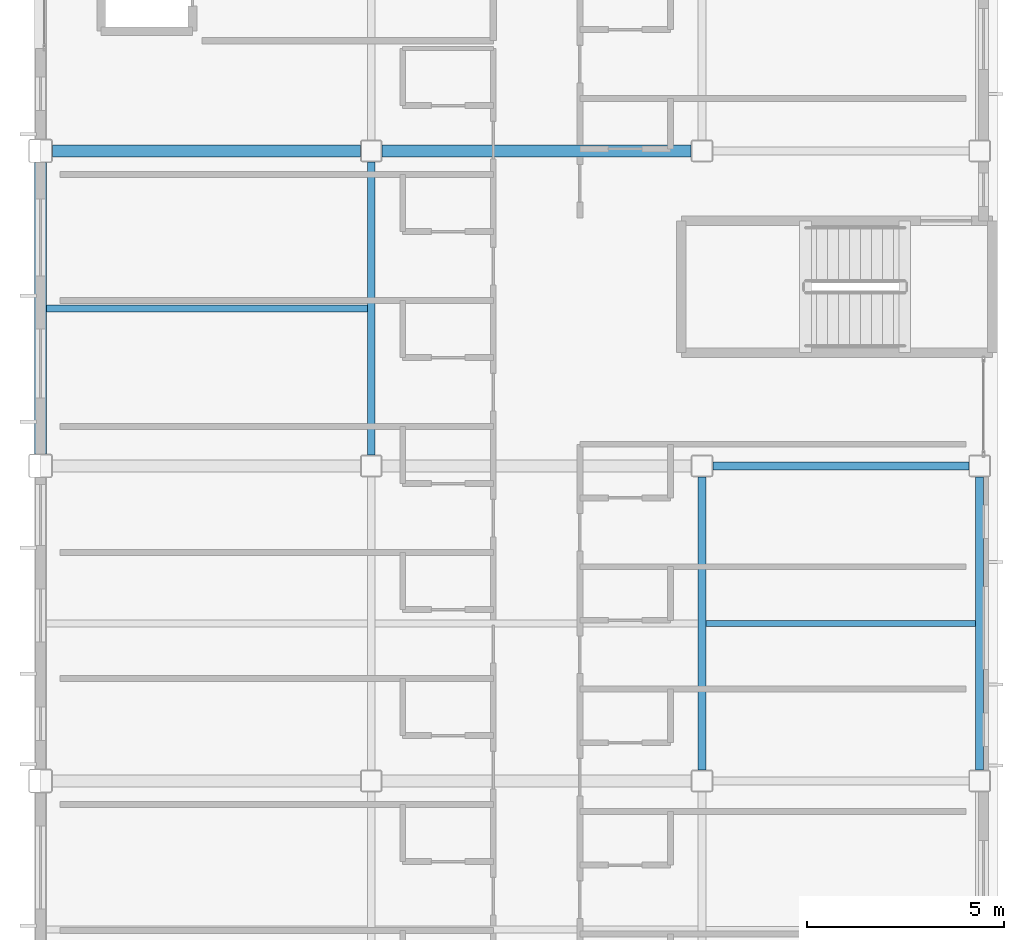
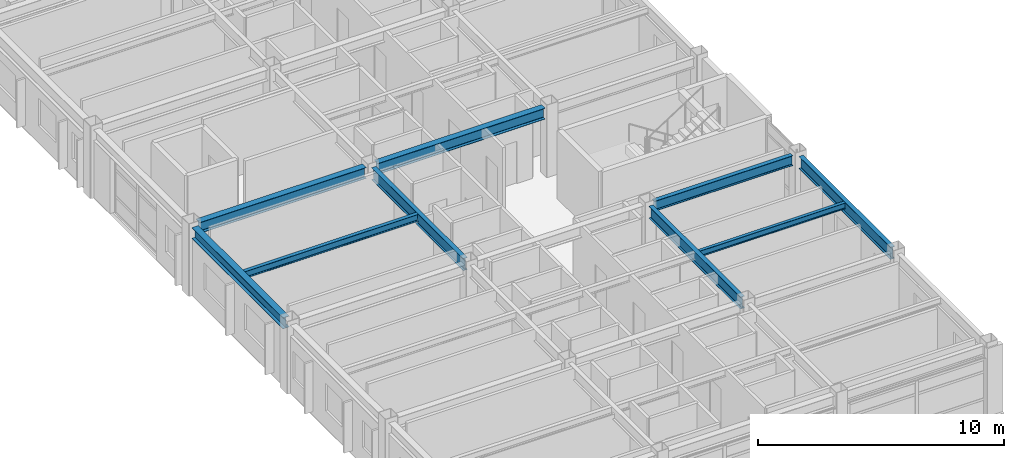
# One storey, part 7 of 38: 9 beams.
"""IFC4 building model written with IfcOpenShell, lengths in metres."""

import ifcopenshell
import ifcopenshell.guid

model = None  # the IFC model being written
_history = None  # IfcOwnerHistory: only IFC2X3 demands one
_inside = {}  # id of a spatial element -> (the spatial element, [elements in it])
_under = {}  # id of a project, library or spatial element -> (it, [spatial elements below it])
_declared = {}  # id of a project -> (the project, [libraries it declares])
_typed = {}  # id of a type object -> (the type object, [elements of that type])
_made_of = {}  # id of a material, layer set ... -> (it, [elements and type objects made of it])


def new_model(schema):
    """Start an empty IFC model of exactly this schema.

    Asked for "IFC4X3", IfcOpenShell would pick the latest addendum, in which some entities
    have other attributes; the version numbers below select the first issue.
    IFC2X3 requires an IfcOwnerHistory on every rooted entity: one is made here for all.
    """
    global model, _history
    if schema == "IFC4X3":
        model = ifcopenshell.file(schema_version=(4, 3, 0, 0))
    else:
        model = ifcopenshell.file(schema=schema)
    _inside.clear()
    _under.clear()
    _declared.clear()
    _typed.clear()
    _made_of.clear()
    _history = None
    if model.schema == "IFC2X3":
        org = make("IfcOrganization", Name="unknown")
        user = make(
            "IfcPersonAndOrganization",
            ThePerson=make("IfcPerson", FamilyName="unknown"),
            TheOrganization=org,
        )
        app = make(
            "IfcApplication",
            ApplicationDeveloper=org,
            Version="unknown",
            ApplicationFullName="unknown",
            ApplicationIdentifier="unknown",
        )
        _history = make(
            "IfcOwnerHistory",
            OwningUser=user,
            OwningApplication=app,
            ChangeAction="ADDED",
            CreationDate=0,
        )
    return model


def make(cls, **values):
    """One entity of the class cls with the attributes given. An attribute that is None is left unset."""
    return model.create_entity(
        cls, **{name: value for name, value in values.items() if value is not None}
    )


def rooted(cls, **values):
    """An entity with a GlobalId (a new one), such as an element, a storey or a relation."""
    return make(cls, GlobalId=ifcopenshell.guid.new(), OwnerHistory=_history, **values)


def si_unit(unit_type, name, prefix=None):
    """IfcSIUnit, for example si_unit("LENGTHUNIT", "METRE", prefix="MILLI")."""
    return make("IfcSIUnit", UnitType=unit_type, Prefix=prefix, Name=name)


def assignment(units):
    """IfcUnitAssignment: the units of a project."""
    return None if units is None else make("IfcUnitAssignment", Units=units)


def point(xyz):
    """IfcCartesianPoint."""
    return None if xyz is None else make("IfcCartesianPoint", Coordinates=xyz)


def direction(xyz):
    """IfcDirection."""
    return None if xyz is None else make("IfcDirection", DirectionRatios=xyz)


def frame(location, z_axis=None, x_axis=None):
    """IfcAxis2Placement3D, a coordinate frame: its origin and axes. An axis left out is left unset."""
    return make(
        "IfcAxis2Placement3D",
        Location=point(location),
        Axis=direction(z_axis),
        RefDirection=direction(x_axis),
    )


def frame_2d(location, x_axis=None):
    """IfcAxis2Placement2D, a coordinate frame in the plane: its origin and x axis."""
    return make(
        "IfcAxis2Placement2D", Location=point(location), RefDirection=direction(x_axis)
    )


def origin():
    """The frame at (0, 0, 0) with its axes left unset."""
    return frame((0.0, 0.0, 0.0))


def origin_2d():
    """The frame at (0, 0) in the plane with its x axis left unset."""
    return frame_2d((0.0, 0.0))


def place(relative_to, where):
    """IfcLocalPlacement: puts the frame where relative to a parent placement (None: the world)."""
    return make(
        "IfcLocalPlacement", PlacementRelTo=relative_to, RelativePlacement=where
    )


def context(
    kind, dimensions, precision=None, world=None, true_north=None, identifier=None
):
    """IfcGeometricRepresentationContext, for example the 3D "Model" context."""
    return make(
        "IfcGeometricRepresentationContext",
        ContextIdentifier=identifier,
        ContextType=kind,
        CoordinateSpaceDimension=dimensions,
        Precision=precision,
        WorldCoordinateSystem=world,
        TrueNorth=true_north,
    )


def subcontext(parent, identifier, kind, view, scale=None):
    """IfcGeometricRepresentationSubContext, for example "Body" below "Model"."""
    return make(
        "IfcGeometricRepresentationSubContext",
        ContextIdentifier=identifier,
        ContextType=kind,
        ParentContext=parent,
        TargetScale=scale,
        TargetView=view,
    )


def project(units=None, contexts=None):
    """IfcProject with its units and contexts."""
    return rooted(
        "IfcProject",
        Name="project",
        RepresentationContexts=contexts,
        UnitsInContext=assignment(units),
    )


def spatial(cls, under=None, at=None, **own):
    """A site, building, storey or space (cls), placed at a placement, below another one or the project."""
    s = rooted(cls, ObjectPlacement=at, **own)
    if under is not None:
        _under.setdefault(under.id(), (under, []))[1].append(s)
    return s


def profile(cls, at=None, kind="AREA", **sizes):
    """A parametric profile (cls). Its sizes go by their IFC names, for example OverallWidth=200.0."""
    return make(cls, ProfileType=kind, Position=at, **sizes)


def i_section(**sizes):
    """IfcIShapeProfileDef."""
    return profile("IfcIShapeProfileDef", **sizes)


def extrude(swept, where, along, depth):
    """IfcExtrudedAreaSolid: the profile swept, set in the frame where, extruded along a direction by depth."""
    return make(
        "IfcExtrudedAreaSolid",
        SweptArea=swept,
        Position=where,
        ExtrudedDirection=direction(along),
        Depth=depth,
    )


def shape(context_of_items, identifier, shape_type, items):
    """IfcShapeRepresentation: the items that make up one representation, for example the "Body"."""
    return make(
        "IfcShapeRepresentation",
        ContextOfItems=context_of_items,
        RepresentationIdentifier=identifier,
        RepresentationType=shape_type,
        Items=items,
    )


def material(Name=None, Category=None):
    """IfcMaterial."""
    return make("IfcMaterial", Name=Name, Category=Category)


def material_profile(
    of_material, cross_section, Name=None, Category=None, Priority=None
):
    """IfcMaterialProfile: a cross section and its material."""
    return make(
        "IfcMaterialProfile",
        Name=Name,
        Material=of_material,
        Profile=cross_section,
        Priority=Priority,
        Category=Category,
    )


def profile_set(profiles, Name=None, composite=None):
    """IfcMaterialProfileSet."""
    return make(
        "IfcMaterialProfileSet",
        Name=Name,
        MaterialProfiles=profiles,
        CompositeProfile=composite,
    )


def made_of(thing, what):
    """Note that an element or type object is made of a material, layer set ...; save() writes the relation."""
    if what is not None:
        _made_of.setdefault(what.id(), (what, []))[1].append(thing)
    return thing


def type_object(cls, material=None, **own):
    """A type object (cls), such as IfcWallType, which elements share."""
    return made_of(rooted(cls, **own), material)


def element(
    cls,
    number,
    at=None,
    inside=None,
    cuts=None,
    type_object=None,
    material=None,
    context=None,
    identifier="Body",
    shape_type=None,
    held_by="IfcProductDefinitionShape",
    body=None,
    shapes=None,
    **own,
):
    """One element of the class cls, such as IfcWall. Its Tag is "e" and its number.

    at: its placement. inside: the storey or other place that contains it. cuts: it is an
    opening in that element (IfcRelVoidsElement). A single representation is given by context,
    identifier, shape_type and body (its items); several are given by shapes. held_by: the class
    of the entity that holds the representations. save() writes the other relations.
    """
    e = rooted(cls, Tag="e%d" % number, ObjectPlacement=at, **own)
    if body is not None:
        shapes = [shape(context, identifier, shape_type, body)]
    if shapes is not None:
        e.Representation = make(held_by, Representations=shapes)
    if inside is not None:
        _inside.setdefault(inside.id(), (inside, []))[1].append(e)
    if cuts is not None:
        rooted(
            "IfcRelVoidsElement", RelatingBuildingElement=cuts, RelatedOpeningElement=e
        )
    if type_object is not None:
        _typed.setdefault(type_object.id(), (type_object, []))[1].append(e)
    return made_of(e, material)


def aggregate(whole, parts):
    """IfcRelAggregates: a whole, such as a stair, and the parts it consists of."""
    return rooted("IfcRelAggregates", RelatingObject=whole, RelatedObjects=parts)


def save(model, path):
    """Write the relations noted so far, then the file.

    IfcRelAggregates (storeys below a building ...), IfcRelContainedInSpatialStructure (elements
    in a storey), IfcRelDefinesByType, IfcRelAssociatesMaterial and IfcRelDeclares: one each for
    every whole, place, type object, material and project.
    """
    for whole, parts in _under.values():
        aggregate(whole, parts)
    for where, things in _inside.values():
        rooted(
            "IfcRelContainedInSpatialStructure",
            RelatedElements=things,
            RelatingStructure=where,
        )
    for kind, things in _typed.values():
        rooted("IfcRelDefinesByType", RelatedObjects=things, RelatingType=kind)
    for what, things in _made_of.values():
        rooted("IfcRelAssociatesMaterial", RelatedObjects=things, RelatingMaterial=what)
    for by, libraries in _declared.values():
        rooted("IfcRelDeclares", RelatingContext=by, RelatedDefinitions=libraries)
    model.write(path)


model = new_model("IFC4")

# Units and contexts
model_context = context("Model", 3, precision=1e-05, world=origin(), true_north=direction((0.0, 1.0)))
body_context = subcontext(model_context, "Body", "Model", "MODEL_VIEW")
ifc_project = project(units=[si_unit("LENGTHUNIT", "METRE"), si_unit("AREAUNIT", "SQUARE_METRE"), si_unit("VOLUMEUNIT", "CUBIC_METRE"), si_unit("PLANEANGLEUNIT", "RADIAN"), si_unit("MASSUNIT", "GRAM", prefix="KILO")], contexts=[model_context])

# Site, building, storey
site_placement = place(None, origin())
site = spatial("IfcSite", under=ifc_project, at=site_placement, CompositionType="ELEMENT")
building_placement = place(site_placement, origin())
building = spatial("IfcBuilding", under=site, at=building_placement, Name="Kazehara Bluff Congress Hotel", CompositionType="ELEMENT")
storey_placement = place(building_placement, frame((0.0, 0.0, 24.60009765625)))
storey = spatial("IfcBuildingStorey", under=building, at=storey_placement, Name="L05", CompositionType="ELEMENT", Elevation=24.60009765625)

# Beams
ifc_material_1 = material(Name="Steel SN490B", Category="steel")
ifc_material_profile_1 = material_profile(ifc_material_1, i_section(OverallWidth=0.199951171875, OverallDepth=0.5, WebThickness=0.010009765625, FlangeThickness=0.01611328125, FilletRadius=0.012939453125, at=origin_2d()))
ifc_profile_set_1 = profile_set([ifc_material_profile_1], Name="Steel SN490B")
beam_type_1 = type_object("IfcBeamType", Name="TP-G-01", PredefinedType="BEAM", material=ifc_profile_set_1)
beam_1_placement = place(storey_placement, frame((160.77490234375, 16.0, 3.1298828125), z_axis=(1.0, 0.0, 0.0), x_axis=(0.0, 1.0, 0.0)))
element("IfcBeam", 1, at=beam_1_placement, inside=storey, type_object=beam_type_1, Name="L05 girder G-01 52", PredefinedType="BEAM", context=body_context, shape_type="SweptSolid", body=[
    extrude(i_section(OverallWidth=0.199951171875, OverallDepth=0.5, WebThickness=0.010009765625, FlangeThickness=0.01611328125, FilletRadius=0.012939453125, at=origin_2d()), origin(), (0.0, 0.0, 1.0), 6.5),
])
ifc_material_2 = material(Name="Steel SN490B", Category="steel")
ifc_material_profile_2 = material_profile(ifc_material_2, i_section(OverallWidth=0.199951171875, OverallDepth=0.60009765625, WebThickness=0.010986328125, FlangeThickness=0.01708984375, FilletRadius=0.012939453125, at=origin_2d()))
ifc_profile_set_2 = profile_set([ifc_material_profile_2], Name="Steel SN490B")
beam_type_2 = type_object("IfcBeamType", Name="TP-G-02", PredefinedType="BEAM", material=ifc_profile_set_2)
for number, where, z_axis, x_axis, name in (
    (2, (152.10009765625, 16.27490234375, 3.079833984375), (0.0, 1.0, 0.0), (-1.0, 0.0, 0.0), "L05 girder G-02 15"),
    (3, (160.5, 8.27490234375, 3.079833984375), (0.0, 1.0, 0.0), (-1.0, 0.0, 0.0), "L05 girder G-02 25"),
    (4, (167.550048828125, 8.27490234375, 3.079833984375), (0.0, 1.0, 0.0), (-1.0, 0.0, 0.0), "L05 girder G-02 35"),
):
    element("IfcBeam", number, at=place(storey_placement, frame(where, z_axis=z_axis, x_axis=x_axis)), inside=storey, type_object=beam_type_2, Name=name, PredefinedType="BEAM", context=body_context, shape_type="SweptSolid", body=[
        extrude(i_section(OverallWidth=0.199951171875, OverallDepth=0.60009765625, WebThickness=0.010986328125, FlangeThickness=0.01708984375, FilletRadius=0.012939453125, at=origin_2d()), origin(), (0.0, 0.0, 1.0), 7.4501953125),
    ])
ifc_material_3 = material(Name="Steel SN490B", Category="steel")
ifc_material_profile_3 = material_profile(ifc_material_3, i_section(OverallWidth=0.300048828125, OverallDepth=0.550048828125, WebThickness=0.010986328125, FlangeThickness=0.01806640625, FilletRadius=0.012939453125, at=origin_2d()))
ifc_profile_set_3 = profile_set([ifc_material_profile_3], Name="Steel SN490B")
beam_type_3 = type_object("IfcBeamType", Name="TP-G-12", PredefinedType="BEAM", material=ifc_profile_set_3)
beam_2_placement = place(storey_placement, frame((144.0, 24.0, 3.10498046875), z_axis=(1.0, 0.0, 0.0), x_axis=(0.0, 1.0, 0.0)))
element("IfcBeam", 5, at=beam_2_placement, inside=storey, type_object=beam_type_3, Name="L05 girder G-12 53", PredefinedType="BEAM", context=body_context, shape_type="SweptSolid", body=[
    extrude(i_section(OverallWidth=0.300048828125, OverallDepth=0.550048828125, WebThickness=0.010986328125, FlangeThickness=0.01806640625, FilletRadius=0.012939453125, at=origin_2d()), origin(), (0.0, 0.0, 1.0), 7.824951171875),
])
beam_3_placement = place(storey_placement, frame((152.375, 24.0, 3.10498046875), z_axis=(1.0, 0.0, 0.0), x_axis=(0.0, 1.0, 0.0)))
element("IfcBeam", 6, at=beam_3_placement, inside=storey, type_object=beam_type_3, Name="L05 girder G-12 54", PredefinedType="BEAM", context=body_context, shape_type="SweptSolid", body=[
    extrude(i_section(OverallWidth=0.300048828125, OverallDepth=0.550048828125, WebThickness=0.010986328125, FlangeThickness=0.01806640625, FilletRadius=0.012939453125, at=origin_2d()), origin(), (0.0, 0.0, 1.0), 7.85009765625),
])
ifc_material_4 = material(Name="Steel SN400B", Category="steel")
ifc_material_profile_4 = material_profile(ifc_material_4, i_section(OverallWidth=0.14990234375, OverallDepth=0.300048828125, WebThickness=0.006591796875, FlangeThickness=0.009033203125, FilletRadius=0.012939453125, at=origin_2d()))
ifc_profile_set_4 = profile_set([ifc_material_profile_4], Name="Steel SN400B")
beam_type_4 = type_object("IfcBeamType", Name="TP-J-01", PredefinedType="JOIST", material=ifc_profile_set_4)
beam_4_placement = place(storey_placement, frame((160.60009765625, 12.0, 3.22998046875), z_axis=(1.0, 0.0, 0.0), x_axis=(0.0, 1.0, 0.0)))
element("IfcBeam", 7, at=beam_4_placement, inside=storey, type_object=beam_type_4, Name="L05 secondary joist J-01 18", PredefinedType="JOIST", context=body_context, shape_type="SweptSolid", body=[
    extrude(i_section(OverallWidth=0.14990234375, OverallDepth=0.300048828125, WebThickness=0.006591796875, FlangeThickness=0.009033203125, FilletRadius=0.012939453125, at=origin_2d()), origin(), (0.0, 0.0, 1.0), 6.849853515625),
])
ifc_material_5 = material(Name="Steel SN400B", Category="steel")
ifc_material_profile_5 = material_profile(ifc_material_5, i_section(OverallWidth=0.175048828125, OverallDepth=0.35009765625, WebThickness=0.007080078125, FlangeThickness=0.010986328125, FilletRadius=0.012939453125, at=origin_2d()))
ifc_profile_set_5 = profile_set([ifc_material_profile_5], Name="Steel SN400B")
beam_type_5 = type_object("IfcBeamType", Name="TP-J-02", PredefinedType="JOIST", material=ifc_profile_set_5)
beam_5_placement = place(storey_placement, frame((143.85009765625, 20.0, 3.204833984375), z_axis=(1.0, 0.0, 0.0), x_axis=(0.0, 1.0, 0.0)))
element("IfcBeam", 8, at=beam_5_placement, inside=storey, type_object=beam_type_5, Name="L05 secondary joist J-02 3", PredefinedType="JOIST", context=body_context, shape_type="SweptSolid", body=[
    extrude(i_section(OverallWidth=0.175048828125, OverallDepth=0.35009765625, WebThickness=0.007080078125, FlangeThickness=0.010986328125, FilletRadius=0.012939453125, at=origin_2d()), origin(), (0.0, 0.0, 1.0), 8.14990234375),
])
ifc_material_6 = material(Name="Steel SN490B", Category="steel")
ifc_material_profile_6 = material_profile(ifc_material_6, i_section(OverallWidth=0.300048828125, OverallDepth=0.550048828125, WebThickness=0.010986328125, FlangeThickness=0.01806640625, FilletRadius=0.012939453125, at=origin_2d()))
ifc_profile_set_6 = profile_set([ifc_material_profile_6], Name="Steel SN490B")
beam_type_6 = type_object("IfcBeamType", Name="TP-SP-01", PredefinedType="SPANDREL", material=ifc_profile_set_6)
beam_6_placement = place(storey_placement, frame((143.699951171875, 16.300048828125, 3.10498046875), z_axis=(0.0, 1.0, 0.0), x_axis=(-1.0, 0.0, 0.0)))
element("IfcBeam", 9, at=beam_6_placement, inside=storey, type_object=beam_type_6, Name="L05 girder SP-01 3", PredefinedType="SPANDREL", context=body_context, shape_type="SweptSolid", body=[
    extrude(i_section(OverallWidth=0.300048828125, OverallDepth=0.550048828125, WebThickness=0.010986328125, FlangeThickness=0.01806640625, FilletRadius=0.012939453125, at=origin_2d()), origin(), (0.0, 0.0, 1.0), 7.39990234375),
])

save(model, "model.ifc")
